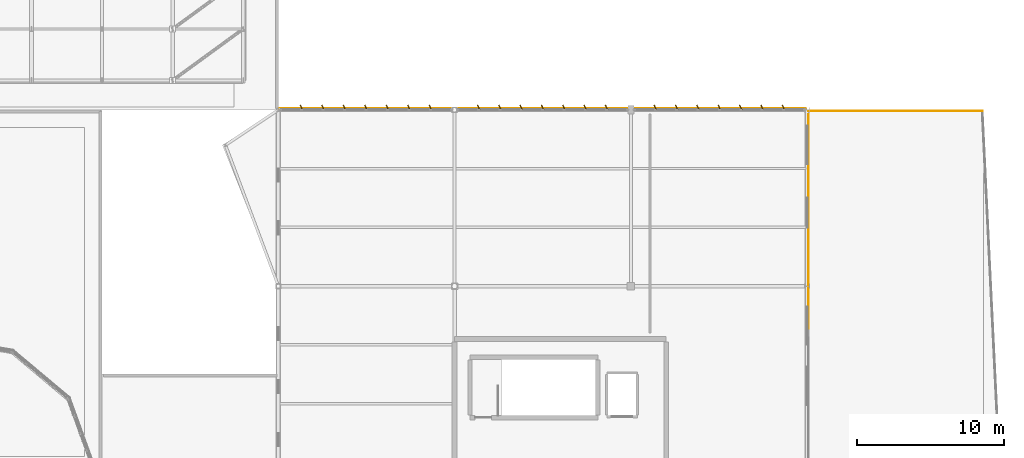
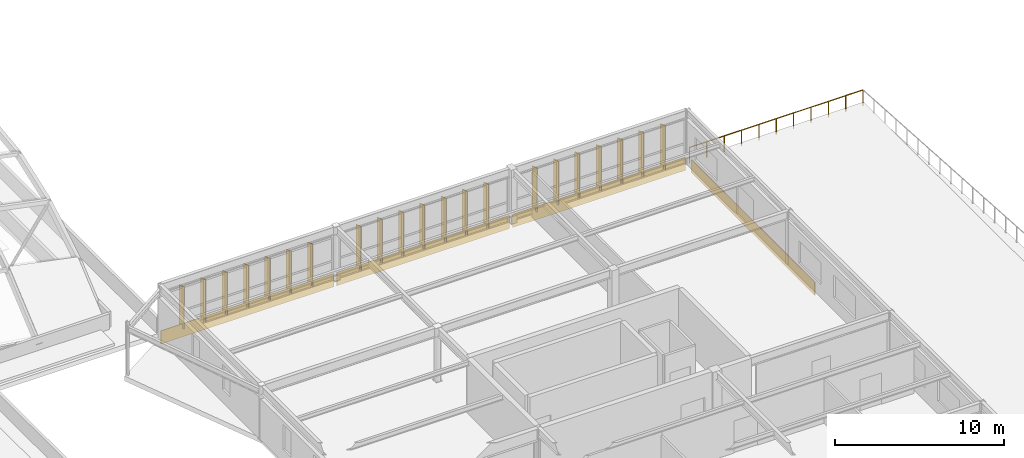
# One storey, part 124 of 128: 21 shading devices, 4 coverings, 1 railing.
"""IFC4 building model written with IfcOpenShell, lengths in metres."""

from ifc_helpers import new_model, si_unit, direction, frame, origin, origin_2d, place, context, subcontext, project, spatial, rectangle, circle, extrude, material, layer, layer_set, type_object, element, save


model = new_model("IFC4")

# Units and contexts
model_context = context("Model", 3, precision=1e-05, world=origin(), true_north=direction((0.0, 1.0)))
body_context = subcontext(model_context, "Body", "Model", "MODEL_VIEW")
ifc_project = project(units=[si_unit("LENGTHUNIT", "METRE"), si_unit("AREAUNIT", "SQUARE_METRE"), si_unit("VOLUMEUNIT", "CUBIC_METRE"), si_unit("PLANEANGLEUNIT", "RADIAN"), si_unit("MASSUNIT", "GRAM", prefix="KILO")], contexts=[model_context])

# Site, building, storey
site_placement = place(None, origin())
site = spatial("IfcSite", under=ifc_project, at=site_placement, CompositionType="ELEMENT")
building_placement = place(site_placement, origin())
building = spatial("IfcBuilding", under=site, at=building_placement, Name="Tarnwether General Hospital", CompositionType="ELEMENT")
storey_placement = place(building_placement, frame((0.0, 0.0, 14.39990234375)))
storey = spatial("IfcBuildingStorey", under=building, at=storey_placement, Name="L03", CompositionType="ELEMENT", Elevation=14.39990234375)

# Coverings
ifc_material_1 = material(Name="Folded zinc-titanium cladding")
ifc_layer_1 = layer(ifc_material_1, 0.0400390625)
ifc_layer_set_1 = layer_set([ifc_layer_1], Name="Folded zinc-titanium cladding")
covering_type = type_object("IfcCoveringType", Name="CV-CLD-ZNC", PredefinedType="CLADDING", material=ifc_layer_set_1)
for number, where, z_axis, x_axis, name in (
    (1, (150.0, 45.68994140625, -0.5546875), (0.0, 0.0, 1.0), (1.0, 0.0, 0.0), "Deconstructivist Faceted Zinc Spandrel Blade 048"),
    (2, (162.0, 45.68994140625, -0.5546875), (0.0, 0.0, 1.0), (1.0, 0.0, 0.0), "Deconstructivist Faceted Zinc Spandrel Blade 049"),
    (3, (174.0, 45.68994140625, -0.5546875), (0.0, 0.0, 1.0), (1.0, 0.0, 0.0), "Deconstructivist Faceted Zinc Spandrel Blade 050"),
):
    element("IfcCovering", number, at=place(storey_placement, frame(where, z_axis=z_axis, x_axis=x_axis)), inside=storey, type_object=covering_type, Name=name, PredefinedType="CLADDING", context=body_context, shape_type="SweptSolid", body=[
        extrude(rectangle(XDim=11.800048828125, YDim=0.0400390625, at=origin_2d()), origin(), (0.0, 0.0, 1.0), 0.949951171875),
    ])
covering_placement = place(storey_placement, frame((180.090087890625, 38.0, -0.5546875), z_axis=(0.0, 0.0, 1.0), x_axis=(0.0, 1.0, 0.0)))
element("IfcCovering", 4, at=covering_placement, inside=storey, type_object=covering_type, Name="Deconstructivist East Faceted Zinc Spandrel 059", PredefinedType="CLADDING", context=body_context, shape_type="SweptSolid", body=[
    extrude(rectangle(XDim=14.60009765625, YDim=0.0400390625, at=origin_2d()), origin(), (0.0, 0.0, 1.0), 0.949951171875),
])

# Railing
ifc_material_2 = material(Name="Anodised aluminium", Category="aluminium")
railing_type = type_object("IfcRailingType", Name="RL-GRD-EXT", PredefinedType="GUARDRAIL", material=ifc_material_2)
railing_placement = place(storey_placement, frame((180.080078125, 45.52001953125, 0.0)))
element("IfcRailing", 5, at=railing_placement, inside=storey, type_object=railing_type, Name="L03 Outpatient South-East Shard Roof Garden SL-L03-V6TER Guard 0016", PredefinedType="GUARDRAIL", context=body_context, shape_type="SweptSolid", body=[
    extrude(circle(Radius=0.02392578125, at=origin_2d()), frame((0.0, 0.0, 1.1259765625), z_axis=(1.0, 0.0, 0.0), x_axis=(0.0, 1.0, 0.0)), (0.0, 0.0, 1.0), 11.843994140625),
    extrude(circle(Radius=0.02099609375, at=origin_2d()), origin(), (0.0, 0.0, 1.0), 1.101806640625),
    extrude(circle(Radius=0.02099609375, at=origin_2d()), frame((1.184326171875, 0.0, 0.0)), (0.0, 0.0, 1.0), 1.101806640625),
    extrude(circle(Radius=0.02099609375, at=origin_2d()), frame((2.368896484375, 0.0, 0.0)), (0.0, 0.0, 1.0), 1.101806640625),
    extrude(circle(Radius=0.02099609375, at=origin_2d()), frame((3.55322265625, 0.0, 0.0)), (0.0, 0.0, 1.0), 1.101806640625),
    extrude(circle(Radius=0.02099609375, at=origin_2d()), frame((4.737548828125, 0.0, 0.0)), (0.0, 0.0, 1.0), 1.101806640625),
    extrude(circle(Radius=0.02099609375, at=origin_2d()), frame((5.921875, 0.0, 0.0)), (0.0, 0.0, 1.0), 1.101806640625),
    extrude(circle(Radius=0.02099609375, at=origin_2d()), frame((7.1064453125, 0.0, 0.0)), (0.0, 0.0, 1.0), 1.101806640625),
    extrude(circle(Radius=0.02099609375, at=origin_2d()), frame((8.290771484375, 0.0, 0.0)), (0.0, 0.0, 1.0), 1.101806640625),
    extrude(circle(Radius=0.02099609375, at=origin_2d()), frame((9.47509765625, 0.0, 0.0)), (0.0, 0.0, 1.0), 1.101806640625),
    extrude(circle(Radius=0.02099609375, at=origin_2d()), frame((10.65966796875, 0.0, 0.0)), (0.0, 0.0, 1.0), 1.101806640625),
    extrude(circle(Radius=0.02099609375, at=origin_2d()), frame((11.843994140625, 0.0, 0.0)), (0.0, 0.0, 1.0), 1.101806640625),
])

# Shading devices
ifc_material_3 = material(Name="Champagne-bronze anodised aluminium", Category="aluminium")
ifc_layer_2 = layer(ifc_material_3, 0.06005859375)
ifc_layer_set_2 = layer_set([ifc_layer_2], Name="Champagne-bronze anodised aluminium")
shading_device_type = type_object("IfcShadingDeviceType", Name="SH-FIN-BRZ", PredefinedType="USERDEFINED", material=ifc_layer_set_2)
for number, where, z_axis, x_axis, name in (
    (6, (145.572998046875, 45.760009765625, 0.050048828125), (0.0, 0.0, 1.0), (0.906307787037, 0.422618261741, 0.0), "Champagne-Bronze Brise-Soleil Fin 0558"),
    (7, (147.035888671875, 45.760009765625, 0.050048828125), (0.0, 0.0, 1.0), (0.906307787037, 0.422618261741, 0.0), "Champagne-Bronze Brise-Soleil Fin 0559"),
    (8, (148.4990234375, 45.760009765625, 0.050048828125), (0.0, 0.0, 1.0), (0.906307787037, 0.422618261741, 0.0), "Champagne-Bronze Brise-Soleil Fin 0560"),
    (9, (149.9619140625, 45.760009765625, 0.050048828125), (0.0, 0.0, 1.0), (0.906307787037, 0.422618261741, 0.0), "Champagne-Bronze Brise-Soleil Fin 0561"),
    (10, (151.425048828125, 45.760009765625, 0.050048828125), (0.0, 0.0, 1.0), (0.906307787037, 0.422618261741, 0.0), "Champagne-Bronze Brise-Soleil Fin 0562"),
    (11, (152.887939453125, 45.760009765625, 0.050048828125), (0.0, 0.0, 1.0), (0.906307787037, 0.422618261741, 0.0), "Champagne-Bronze Brise-Soleil Fin 0563"),
    (12, (154.35107421875, 45.760009765625, 0.050048828125), (0.0, 0.0, 1.0), (0.906307787037, 0.422618261741, 0.0), "Champagne-Bronze Brise-Soleil Fin 0564"),
):
    element("IfcShadingDevice", number, at=place(storey_placement, frame(where, z_axis=z_axis, x_axis=x_axis)), inside=storey, type_object=shading_device_type, Name=name, ObjectType="SOLAR FIN", PredefinedType="USERDEFINED", context=body_context, shape_type="SweptSolid", body=[
        extrude(rectangle(XDim=0.06005859375, YDim=0.360107421875, at=origin_2d()), origin(), (0.0, 0.0, 1.0), 3.0419921875),
    ])
for number, where, z_axis, x_axis, name in (
    (13, (157.636962890625, 45.760009765625, 0.05029296875), (0.0, 0.0, 1.0), (0.906307787037, 0.422618261741, 0.0), "Champagne-Bronze Brise-Soleil Fin 0565"),
    (14, (159.0869140625, 45.760009765625, 0.05029296875), (0.0, 0.0, 1.0), (0.906307787037, 0.422618261741, 0.0), "Champagne-Bronze Brise-Soleil Fin 0566"),
    (15, (160.5380859375, 45.760009765625, 0.05029296875), (0.0, 0.0, 1.0), (0.906307787037, 0.422618261741, 0.0), "Champagne-Bronze Brise-Soleil Fin 0567"),
    (16, (161.989013671875, 45.760009765625, 0.05029296875), (0.0, 0.0, 1.0), (0.906307787037, 0.422618261741, 0.0), "Champagne-Bronze Brise-Soleil Fin 0568"),
    (17, (163.43994140625, 45.760009765625, 0.05029296875), (0.0, 0.0, 1.0), (0.906307787037, 0.422618261741, 0.0), "Champagne-Bronze Brise-Soleil Fin 0569"),
    (18, (164.889892578125, 45.760009765625, 0.05029296875), (0.0, 0.0, 1.0), (0.906307787037, 0.422618261741, 0.0), "Champagne-Bronze Brise-Soleil Fin 0570"),
    (19, (166.341064453125, 45.760009765625, 0.05029296875), (0.0, 0.0, 1.0), (0.906307787037, 0.422618261741, 0.0), "Champagne-Bronze Brise-Soleil Fin 0571"),
):
    element("IfcShadingDevice", number, at=place(storey_placement, frame(where, z_axis=z_axis, x_axis=x_axis)), inside=storey, type_object=shading_device_type, Name=name, ObjectType="SOLAR FIN", PredefinedType="USERDEFINED", context=body_context, shape_type="SweptSolid", body=[
        extrude(rectangle(XDim=0.06005859375, YDim=0.360107421875, at=origin_2d()), origin(), (0.0, 0.0, 1.0), 3.173095703125),
    ])
for number, where, z_axis, x_axis, name in (
    (20, (169.662109375, 45.760009765625, 0.05029296875), (0.0, 0.0, 1.0), (0.906307787037, 0.422618261741, 0.0), "Champagne-Bronze Brise-Soleil Fin 0572"),
    (21, (171.114990234375, 45.760009765625, 0.05029296875), (0.0, 0.0, 1.0), (0.906307787037, 0.422618261741, 0.0), "Champagne-Bronze Brise-Soleil Fin 0573"),
    (22, (172.569091796875, 45.760009765625, 0.05029296875), (0.0, 0.0, 1.0), (0.906307787037, 0.422618261741, 0.0), "Champagne-Bronze Brise-Soleil Fin 0574"),
    (23, (174.02294921875, 45.760009765625, 0.05029296875), (0.0, 0.0, 1.0), (0.906307787037, 0.422618261741, 0.0), "Champagne-Bronze Brise-Soleil Fin 0575"),
    (24, (175.47705078125, 45.760009765625, 0.05029296875), (0.0, 0.0, 1.0), (0.906307787037, 0.422618261741, 0.0), "Champagne-Bronze Brise-Soleil Fin 0576"),
    (25, (176.929931640625, 45.760009765625, 0.05029296875), (0.0, 0.0, 1.0), (0.906307787037, 0.422618261741, 0.0), "Champagne-Bronze Brise-Soleil Fin 0577"),
    (26, (178.384033203125, 45.760009765625, 0.05029296875), (0.0, 0.0, 1.0), (0.906307787037, 0.422618261741, 0.0), "Champagne-Bronze Brise-Soleil Fin 0578"),
):
    element("IfcShadingDevice", number, at=place(storey_placement, frame(where, z_axis=z_axis, x_axis=x_axis)), inside=storey, type_object=shading_device_type, Name=name, ObjectType="SOLAR FIN", PredefinedType="USERDEFINED", context=body_context, shape_type="SweptSolid", body=[
        extrude(rectangle(XDim=0.06005859375, YDim=0.360107421875, at=origin_2d()), origin(), (0.0, 0.0, 1.0), 3.177978515625),
    ])

save(model, "model.ifc")
